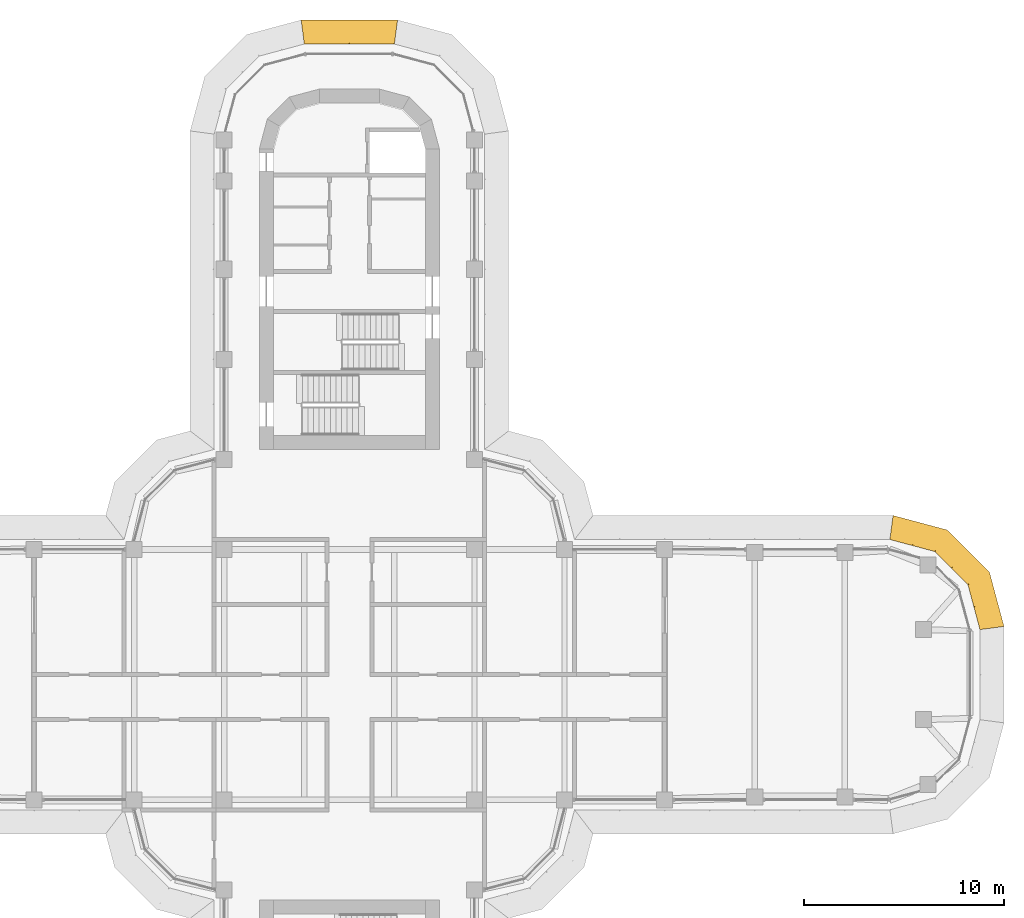
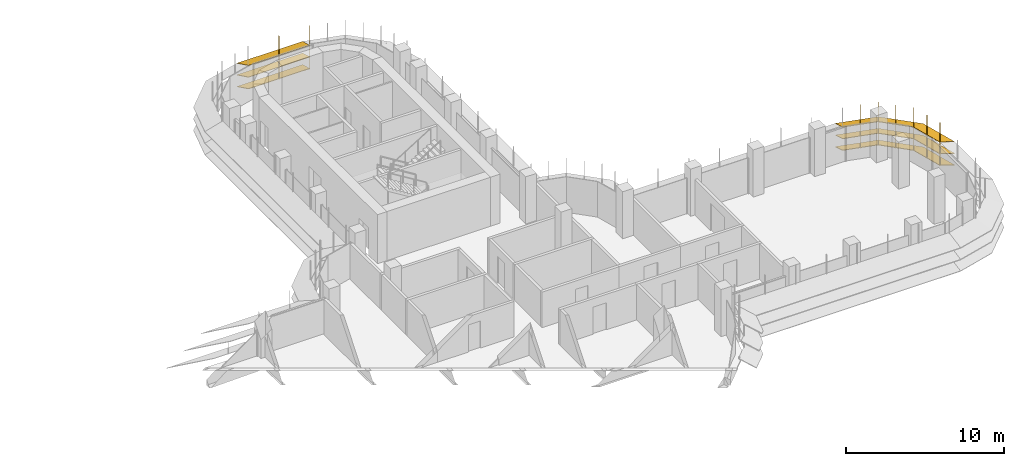
# One storey, part 19 of 19: 2 shading devices.
"""IFC4 building model written with IfcOpenShell, lengths in metres."""

from ifc_helpers import new_model, si_unit, direction, frame, origin, place, context, subcontext, project, spatial, polyline, outline, extrude, faceted_brep, source, transform, mapped, material, type_object, element, save


model = new_model("IFC4")

# Units and contexts
model_context = context("Model", 3, precision=1e-05, world=origin(), true_north=direction((0.0, 1.0)))
body_context = subcontext(model_context, "Body", "Model", "MODEL_VIEW")
ifc_project = project(units=[si_unit("LENGTHUNIT", "METRE"), si_unit("AREAUNIT", "SQUARE_METRE"), si_unit("VOLUMEUNIT", "CUBIC_METRE"), si_unit("PLANEANGLEUNIT", "RADIAN"), si_unit("MASSUNIT", "GRAM", prefix="KILO")], contexts=[model_context])

# Site, building, storey
site_placement = place(None, origin())
site = spatial("IfcSite", under=ifc_project, at=site_placement, CompositionType="ELEMENT")
building_placement = place(site_placement, origin())
building = spatial("IfcBuilding", under=site, at=building_placement, Name="Zarbagh Exchange Tower", CompositionType="ELEMENT")
storey_placement = place(building_placement, frame((0.0, 0.0, 160.0)))
storey = spatial("IfcBuildingStorey", under=building, at=storey_placement, Name="L38", CompositionType="ELEMENT", Elevation=160.0)

# Shading devices
ifc_material = material(Name="Anodised aluminium blades and brackets", Category="aluminium")
shading_device_type = type_object("IfcShadingDeviceType", Name="SUNSHADE louvre band, 22.5 degree blades", PredefinedType="JALOUSIE", material=ifc_material)
shared_shape_1 = source(origin(), body_context, "Body", "Brep", [
    faceted_brep([(0.0, 0.0, 0.0), (0.0, 0.0, -0.043212890625), (-0.157958984375, -1.199951171875, -0.540283203125), (-0.157958984375, -1.199951171875, -0.4970703125), (2.65087890625, -1.199951171875, -0.4970703125), (2.65087890625, -1.199951171875, -0.540283203125), (2.329345703125, 0.0, -0.043212890625), (2.329345703125, 0.0, 0.0)], [[[0, 1, 2, 3]], [[4, 5, 6, 7]], [[0, 7, 6, 1]], [[1, 6, 5, 2]], [[2, 5, 4, 3]], [[3, 4, 7, 0]]]),
])
shared_shape_2 = source(origin(), body_context, "Body", "Brep", [
    faceted_brep([(0.0, 0.0, 0.0), (0.0, 0.0, -0.043212890625), (-0.321533203125, -1.199951171875, -0.540283203125), (-0.321533203125, -1.199951171875, -0.4970703125), (2.65087890625, -1.199951171875, -0.4970703125), (2.65087890625, -1.199951171875, -0.540283203125), (2.329345703125, 0.0, -0.043212890625), (2.329345703125, 0.0, 0.0)], [[[0, 1, 2, 3]], [[4, 5, 6, 7]], [[0, 7, 6, 1]], [[1, 6, 5, 2]], [[2, 5, 4, 3]], [[3, 4, 7, 0]]]),
])
shared_shape_3 = source(origin(), body_context, "Body", "Brep", [
    faceted_brep([(0.0, 0.0, 0.0), (0.0, 0.0, -0.043212890625), (-0.321533203125, -1.199951171875, -0.540283203125), (-0.321533203125, -1.199951171875, -0.4970703125), (2.4873046875, -1.199951171875, -0.4970703125), (2.4873046875, -1.199951171875, -0.540283203125), (2.329345703125, 0.0, -0.043212890625), (2.329345703125, 0.0, 0.0)], [[[0, 1, 2, 3]], [[4, 5, 6, 7]], [[0, 7, 6, 1]], [[1, 6, 5, 2]], [[2, 5, 4, 3]], [[3, 4, 7, 0]]]),
])
shared_shape_4 = source(origin(), body_context, "Body", "SweptSolid", [
    extrude(outline(polyline([(0.0, -0.012451171875), (0.06005859375, -0.012451171875), (0.06005859375, 0.012451171875), (0.0, 0.012451171875), (0.0, -0.012451171875)])), origin(), (0.0, 0.0, 1.0), 3.353271484375),
])
placement = place(storey_placement, origin())
element("IfcShadingDevice", 1, at=placement, inside=storey, type_object=shading_device_type, Name="SS33 sunshade band", PredefinedType="JALOUSIE", context=body_context, shape_type="MappedRepresentation", body=[
    mapped(shared_shape_1, transform((31.5, 2.25, 2.300048828125), x_axis=(-0.258824779902, 0.965924289636, 0.0), y_axis=(-0.965924289636, -0.258824779902, 0.0), z_axis=(0.0, 0.0, 1.0))),
    mapped(shared_shape_1, transform((31.5, 2.25, 1.39990234375), x_axis=(-0.258824779902, 0.965924289636, 0.0), y_axis=(-0.965924289636, -0.258824779902, 0.0), z_axis=(0.0, 0.0, 1.0))),
    mapped(shared_shape_1, transform((31.5, 2.25, 0.5), x_axis=(-0.258824779902, 0.965924289636, 0.0), y_axis=(-0.965924289636, -0.258824779902, 0.0), z_axis=(0.0, 0.0, 1.0))),
    mapped(shared_shape_2, transform((30.897216796875, 4.5, 2.300048828125), x_axis=(-0.707106781187, 0.707106781187, 0.0), y_axis=(-0.707106781187, -0.707106781187, 0.0), z_axis=(0.0, 0.0, 1.0))),
    mapped(shared_shape_2, transform((30.897216796875, 4.5, 1.39990234375), x_axis=(-0.707106781187, 0.707106781187, 0.0), y_axis=(-0.707106781187, -0.707106781187, 0.0), z_axis=(0.0, 0.0, 1.0))),
    mapped(shared_shape_2, transform((30.897216796875, 4.5, 0.5), x_axis=(-0.707106781187, 0.707106781187, 0.0), y_axis=(-0.707106781187, -0.707106781187, 0.0), z_axis=(0.0, 0.0, 1.0))),
    mapped(shared_shape_3, transform((29.25, 6.147216796875, 2.300048828125), x_axis=(-0.965924289636, 0.258824779902, 0.0), y_axis=(-0.258824779902, -0.965924289636, 0.0), z_axis=(0.0, 0.0, 1.0))),
    mapped(shared_shape_3, transform((29.25, 6.147216796875, 1.39990234375), x_axis=(-0.965924289636, 0.258824779902, 0.0), y_axis=(-0.258824779902, -0.965924289636, 0.0), z_axis=(0.0, 0.0, 1.0))),
    mapped(shared_shape_3, transform((29.25, 6.147216796875, 0.5), x_axis=(-0.965924289636, 0.258824779902, 0.0), y_axis=(-0.258824779902, -0.965924289636, 0.0), z_axis=(0.0, 0.0, 1.0))),
    mapped(shared_shape_4, transform((31.5, 2.25, 0.4267578125), x_axis=(0.991444457092, 0.130529263012, 0.0), y_axis=(-0.130529263012, 0.991444457092, 0.0), z_axis=(0.0, 0.0, 1.0))),
    mapped(shared_shape_4, transform((31.198486328125, 3.375, 0.4267578125), x_axis=(0.96592421511, 0.258825058029, 0.0), y_axis=(-0.258825058029, 0.96592421511, 0.0), z_axis=(0.0, 0.0, 1.0))),
    mapped(shared_shape_4, transform((30.897216796875, 4.5, 0.4267578125), x_axis=(0.866023812018, 0.50000275701, 0.0), y_axis=(-0.50000275701, 0.866023812018, 0.0), z_axis=(0.0, 0.0, 1.0))),
    mapped(shared_shape_4, transform((30.073486328125, 5.323486328125, 0.4267578125), x_axis=(0.707106781187, 0.707106781187, 0.0), y_axis=(-0.707106781187, 0.707106781187, 0.0), z_axis=(0.0, 0.0, 1.0))),
    mapped(shared_shape_4, transform((29.25, 6.147216796875, 0.4267578125), x_axis=(0.50000275701, 0.866023812018, 0.0), y_axis=(-0.866023812018, 0.50000275701, 0.0), z_axis=(0.0, 0.0, 1.0))),
    mapped(shared_shape_4, transform((28.125, 6.448486328125, 0.4267578125), x_axis=(0.258825058029, 0.96592421511, 0.0), y_axis=(-0.96592421511, 0.258825058029, 0.0), z_axis=(0.0, 0.0, 1.0))),
])
shared_shape_5 = source(origin(), body_context, "Body", "Brep", [
    faceted_brep([(0.0, 0.0, 0.0), (0.0, 0.0, -0.043212890625), (-0.157958984375, -1.199951171875, -0.540283203125), (-0.157958984375, -1.199951171875, -0.4970703125), (4.657958984375, -1.199951171875, -0.4970703125), (4.657958984375, -1.199951171875, -0.540283203125), (4.5, 0.0, -0.043212890625), (4.5, 0.0, 0.0)], [[[0, 1, 2, 3]], [[4, 5, 6, 7]], [[0, 7, 6, 1]], [[1, 6, 5, 2]], [[2, 5, 4, 3]], [[3, 4, 7, 0]]]),
])
element("IfcShadingDevice", 2, at=placement, inside=storey, type_object=shading_device_type, Name="SS27 sunshade band", PredefinedType="JALOUSIE", context=body_context, shape_type="MappedRepresentation", body=[
    mapped(shared_shape_5, transform((2.25, 31.5, 2.300048828125), x_axis=(-1.0, 0.0, 0.0), y_axis=(0.0, -1.0, 0.0), z_axis=(0.0, 0.0, 1.0))),
    mapped(shared_shape_5, transform((2.25, 31.5, 1.39990234375), x_axis=(-1.0, 0.0, 0.0), y_axis=(0.0, -1.0, 0.0), z_axis=(0.0, 0.0, 1.0))),
    mapped(shared_shape_5, transform((2.25, 31.5, 0.5), x_axis=(-1.0, 0.0, 0.0), y_axis=(0.0, -1.0, 0.0), z_axis=(0.0, 0.0, 1.0))),
    mapped(shared_shape_4, transform((2.25, 31.5, 0.4267578125), x_axis=(0.130529263012, 0.991444457092, 0.0), y_axis=(-0.991444457092, 0.130529263012, 0.0), z_axis=(0.0, 0.0, 1.0))),
    mapped(shared_shape_4, transform((0.0, 31.5, 0.4267578125), x_axis=(0.0, 1.0, 0.0), y_axis=(-1.0, 0.0, 0.0), z_axis=(0.0, 0.0, 1.0))),
])

save(model, "model.ifc")
